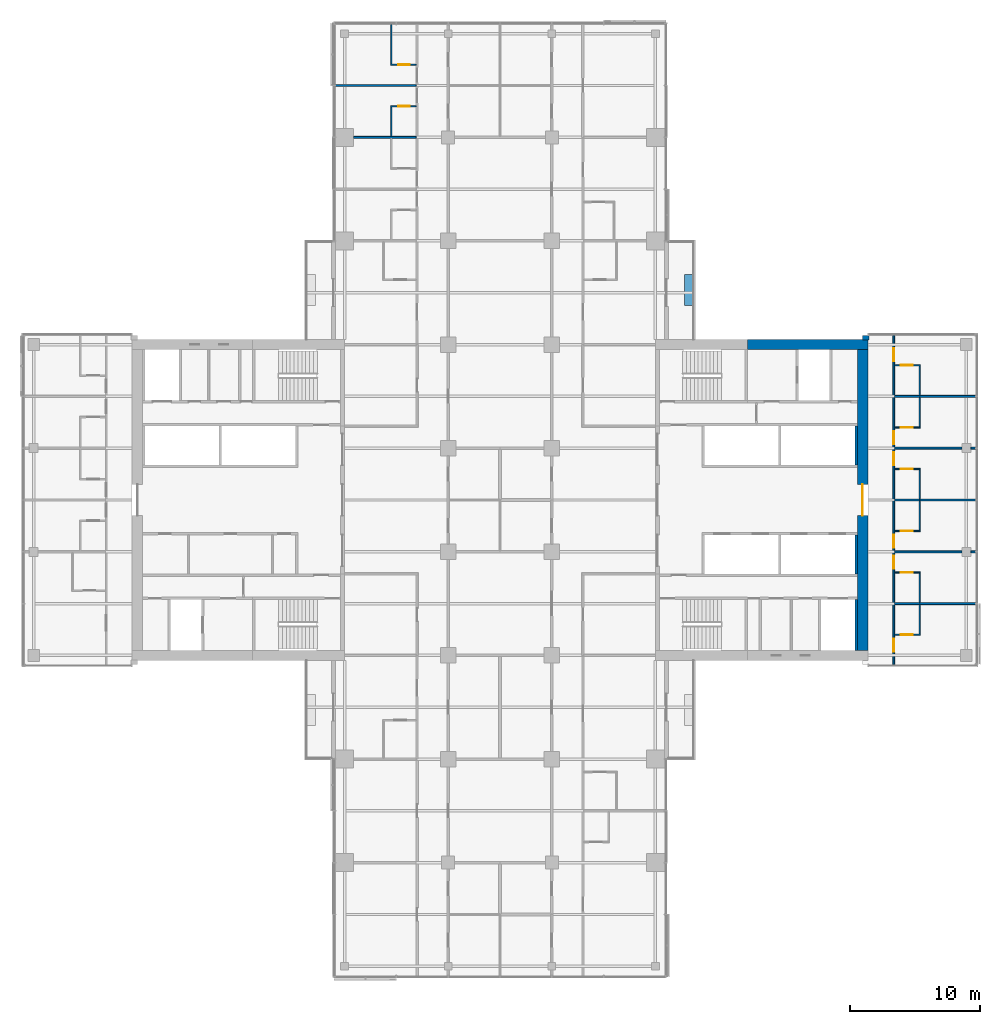
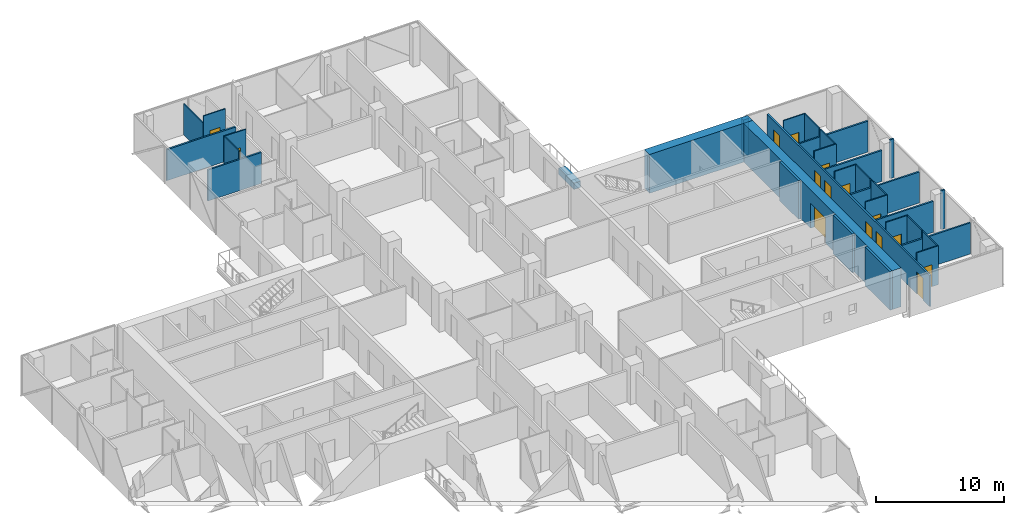
# One storey, part 21 of 27: 33 walls, 15 doors, 15 openings.
"""IFC4 building model written with IfcOpenShell, lengths in metres."""

from ifc_helpers import new_model, si_unit, direction, frame, frame_2d, origin, place, context, subcontext, project, spatial, rectangle, extrude, material, layer, layer_set, constituent, constituent_set, type_object, element, fill, save


model = new_model("IFC4")

# Units and contexts
model_context = context("Model", 3, precision=1e-05, world=origin(), true_north=direction((0.0, 1.0)))
body_context = subcontext(model_context, "Body", "Model", "MODEL_VIEW")
ifc_project = project(units=[si_unit("LENGTHUNIT", "METRE"), si_unit("AREAUNIT", "SQUARE_METRE"), si_unit("VOLUMEUNIT", "CUBIC_METRE"), si_unit("PLANEANGLEUNIT", "RADIAN"), si_unit("MASSUNIT", "GRAM", prefix="KILO")], contexts=[model_context])

# Site, building, storey
site_placement = place(None, origin())
site = spatial("IfcSite", under=ifc_project, at=site_placement, CompositionType="ELEMENT")
building_placement = place(site_placement, origin())
building = spatial("IfcBuilding", under=site, at=building_placement, Name="Crosswind Convention Tower", CompositionType="ELEMENT")
storey_placement = place(building_placement, frame((0.0, 0.0, 94.199951171875)))
storey = spatial("IfcBuildingStorey", under=building, at=storey_placement, Name="L18", CompositionType="ELEMENT", Elevation=94.199951171875)

# Wall, opening, door
ifc_material_1 = material(Name="Concrete C60/75", Category="concrete")
ifc_layer_1 = layer(ifc_material_1, 0.800048828125)
ifc_layer_set_1 = layer_set([ifc_layer_1], Name="Concrete C60/75")
wall_type_1 = type_object("IfcWallType", Name="Concrete core wall 800", PredefinedType="SHEAR", material=ifc_layer_set_1)
wall_1_placement = place(storey_placement, frame((153.0, 88.39990234375, 0.0), z_axis=(0.0, 0.0, 1.0), x_axis=(0.0, 1.0, 0.0)))
wall_1 = element("IfcWall", 1, at=wall_1_placement, inside=storey, type_object=wall_type_1, Name="Wall O E L18", PredefinedType="SHEAR", context=body_context, shape_type="SweptSolid", body=[
    extrude(rectangle(XDim=23.2001953125, YDim=0.800048828125, at=frame_2d((11.60009765625, 0.0))), origin(), (0.0, 0.0, 1.0), 3.699951171875),
])
opening_1_placement = place(wall_1_placement, frame((10.39990234375, 0.0, 0.0)))
opening_1 = element("IfcOpeningElement", 2, at=opening_1_placement, cuts=wall_1, Name="Opening D100", PredefinedType="OPENING", context=body_context, shape_type="SweptSolid", body=[
    extrude(rectangle(XDim=2.39990234375, YDim=2.39990234375, at=frame_2d((1.199951171875, 1.199951171875))), frame((0.0, 0.409912109375, 0.0), z_axis=(0.0, -1.0, 0.0), x_axis=(1.0, 0.0, 0.0)), (0.0, 0.0, 1.0), 0.820068359375),
])
ifc_material_2 = material(Name="Steel fire door with glazed vision panels", Category="steel")
door_type_1 = type_object("IfcDoorType", Name="Fire-rated double door 2400x2400", OperationType="DOUBLE_DOOR_SINGLE_SWING", PredefinedType="DOOR", material=ifc_material_2)
door_1_placement = place(opening_1_placement, origin())
door_1 = element("IfcDoor", 3, at=door_1_placement, inside=storey, type_object=door_type_1, Name="Lobby outer door L18", ObjectType="D100", OperationType="DOUBLE_DOOR_SINGLE_SWING", OverallHeight=2.39990234375, OverallWidth=2.39990234375, PredefinedType="DOOR", context=body_context, shape_type="SweptSolid", body=[
    extrude(rectangle(XDim=2.39990234375, YDim=2.39990234375, at=frame_2d((1.199951171875, 1.199951171875))), frame((0.0, 0.02490234375, 0.0), z_axis=(0.0, -1.0, 0.0), x_axis=(1.0, 0.0, 0.0)), (0.0, 0.0, 1.0), 0.050048828125),
])
fill(opening_1, door_1)

# Walls
ifc_material_3 = material(Name="Concrete C50/60", Category="concrete")
ifc_layer_2 = layer(ifc_material_3, 0.199951171875)
ifc_layer_set_2 = layer_set([ifc_layer_2], Name="Concrete C50/60")
wall_type_2 = type_object("IfcWallType", Name="Concrete shaft and stair wall 200", PredefinedType="SHEAR", material=ifc_layer_set_2)
for number, where, z_axis, x_axis, name in (
    (4, (152.5, 102.699951171875, 0.0), (0.0, 0.0, 1.0), (0.0, 1.0, 0.0), "Wall RPEAST E L18"),
    (5, (152.5, 94.300048828125, 0.0), (0.0, 0.0, 1.0), (0.0, 1.0, 0.0), "Wall RMEAST E L18"),
):
    element("IfcWall", number, at=place(storey_placement, frame(where, z_axis=z_axis, x_axis=x_axis)), inside=storey, type_object=wall_type_2, Name=name, PredefinedType="SHEAR", context=body_context, shape_type="SweptSolid", body=[
        extrude(rectangle(XDim=3.0, YDim=0.199951171875, at=frame_2d((1.5, 0.0))), origin(), (0.0, 0.0, 1.0), 3.699951171875),
    ])
wall_2_placement = place(storey_placement, frame((152.5, 88.39990234375, 0.0), z_axis=(0.0, 0.0, 1.0), x_axis=(0.0, 1.0, 0.0)))
element("IfcWall", 6, at=wall_2_placement, inside=storey, type_object=wall_type_2, Name="Wall MFSE E L18", PredefinedType="SHEAR", context=body_context, shape_type="SweptSolid", body=[
    extrude(rectangle(XDim=3.900146484375, YDim=0.199951171875, at=frame_2d((1.9501953125, 0.0))), origin(), (0.0, 0.0, 1.0), 3.699951171875),
])
ifc_material_4 = material(Name="Acoustic plasterboard partition", Category="gypsum")
ifc_layer_3 = layer(ifc_material_4, 0.14990234375)
ifc_layer_set_3 = layer_set([ifc_layer_3], Name="GUEST ROOM WALL 150")
wall_type_3 = type_object("IfcWallType", Name="GUEST ROOM WALL 150", PredefinedType="PARTITIONING", material=ifc_layer_set_3)
wall_3_placement = place(storey_placement, frame((155.47509765625, 92.0, 0.0), z_axis=(0.0, 0.0, 1.0), x_axis=(1.0, 0.0, 0.0)))
element("IfcWall", 7, at=wall_3_placement, inside=storey, type_object=wall_type_3, Name="Guest Room Wall 16", PredefinedType="PARTITIONING", context=body_context, shape_type="SweptSolid", body=[
    extrude(rectangle(XDim=6.224853515625, YDim=0.14990234375, at=frame_2d((3.1123046875, 0.0))), origin(), (0.0, 0.0, 1.0), 2.962890625),
])
wall_4_placement = place(storey_placement, frame((155.47509765625, 96.0, 0.0), z_axis=(0.0, 0.0, 1.0), x_axis=(1.0, 0.0, 0.0)))
element("IfcWall", 8, at=wall_4_placement, inside=storey, type_object=wall_type_3, Name="Guest Room Wall 24", PredefinedType="PARTITIONING", context=body_context, shape_type="SweptSolid", body=[
    extrude(rectangle(XDim=5.1748046875, YDim=0.14990234375, at=frame_2d((2.58740234375, 0.0))), origin(), (0.0, 0.0, 1.0), 2.95654296875),
])
wall_5_placement = place(storey_placement, frame((161.35009765625, 96.0, 0.0), z_axis=(0.0, 0.0, 1.0), x_axis=(1.0, 0.0, 0.0)))
element("IfcWall", 9, at=wall_5_placement, inside=storey, type_object=wall_type_3, Name="Guest Room Wall 25", PredefinedType="PARTITIONING", context=body_context, shape_type="SweptSolid", body=[
    extrude(rectangle(XDim=0.349853515625, YDim=0.14990234375, at=frame_2d((0.1748046875, 0.0))), origin(), (0.0, 0.0, 1.0), 3.699951171875),
])
wall_6_placement = place(storey_placement, frame((155.47509765625, 100.0, 0.0), z_axis=(0.0, 0.0, 1.0), x_axis=(1.0, 0.0, 0.0)))
element("IfcWall", 10, at=wall_6_placement, inside=storey, type_object=wall_type_3, Name="Guest Room Wall 31", PredefinedType="PARTITIONING", context=body_context, shape_type="SweptSolid", body=[
    extrude(rectangle(XDim=6.224853515625, YDim=0.14990234375, at=frame_2d((3.1123046875, 0.0))), origin(), (0.0, 0.0, 1.0), 2.962890625),
])
wall_7_placement = place(storey_placement, frame((155.47509765625, 104.0, 0.0), z_axis=(0.0, 0.0, 1.0), x_axis=(1.0, 0.0, 0.0)))
element("IfcWall", 11, at=wall_7_placement, inside=storey, type_object=wall_type_3, Name="Guest Room Wall 38", PredefinedType="PARTITIONING", context=body_context, shape_type="SweptSolid", body=[
    extrude(rectangle(XDim=5.1748046875, YDim=0.14990234375, at=frame_2d((2.58740234375, 0.0))), origin(), (0.0, 0.0, 1.0), 2.95654296875),
])
wall_8_placement = place(storey_placement, frame((161.35009765625, 104.0, 0.0), z_axis=(0.0, 0.0, 1.0), x_axis=(1.0, 0.0, 0.0)))
element("IfcWall", 12, at=wall_8_placement, inside=storey, type_object=wall_type_3, Name="Guest Room Wall 39", PredefinedType="PARTITIONING", context=body_context, shape_type="SweptSolid", body=[
    extrude(rectangle(XDim=0.349853515625, YDim=0.14990234375, at=frame_2d((0.1748046875, 0.0))), origin(), (0.0, 0.0, 1.0), 3.699951171875),
])
wall_9_placement = place(storey_placement, frame((155.47509765625, 108.0, 0.0), z_axis=(0.0, 0.0, 1.0), x_axis=(1.0, 0.0, 0.0)))
element("IfcWall", 13, at=wall_9_placement, inside=storey, type_object=wall_type_3, Name="Guest Room Wall 45", PredefinedType="PARTITIONING", context=body_context, shape_type="SweptSolid", body=[
    extrude(rectangle(XDim=6.224853515625, YDim=0.14990234375, at=frame_2d((3.1123046875, 0.0))), origin(), (0.0, 0.0, 1.0), 2.962890625),
])
wall_10_placement = place(storey_placement, frame((113.699951171875, 128.0, 0.0), z_axis=(0.0, 0.0, 1.0), x_axis=(1.0, 0.0, 0.0)))
element("IfcWall", 14, at=wall_10_placement, inside=storey, type_object=wall_type_3, Name="Guest Room Wall 59", PredefinedType="PARTITIONING", context=body_context, shape_type="SweptSolid", body=[
    extrude(rectangle(XDim=4.824951171875, YDim=0.14990234375, at=frame_2d((2.41259765625, 0.0))), origin(), (0.0, 0.0, 1.0), 2.9599609375),
])
wall_11_placement = place(storey_placement, frame((112.300048828125, 132.0, 0.0), z_axis=(0.0, 0.0, 1.0), x_axis=(1.0, 0.0, 0.0)))
element("IfcWall", 15, at=wall_11_placement, inside=storey, type_object=wall_type_3, Name="Guest Room Wall 63", PredefinedType="PARTITIONING", context=body_context, shape_type="SweptSolid", body=[
    extrude(rectangle(XDim=6.224853515625, YDim=0.14990234375, at=frame_2d((3.1123046875, 0.0))), origin(), (0.0, 0.0, 1.0), 2.962890625),
])

# Wall, openings, doors
wall_12_placement = place(storey_placement, frame((155.39990234375, 87.300048828125, 0.0), z_axis=(0.0, 0.0, 1.0), x_axis=(0.0, 1.0, 0.0)))
wall_12 = element("IfcWall", 16, at=wall_12_placement, inside=storey, type_object=wall_type_3, Name="Guest Room Wall 123", PredefinedType="PARTITIONING", context=body_context, shape_type="SweptSolid", body=[
    extrude(rectangle(XDim=25.39990234375, YDim=0.14990234375, at=frame_2d((12.699951171875, 0.0))), origin(), (0.0, 0.0, 1.0), 2.95654296875),
])
opening_2_placement = place(wall_12_placement, frame((1.0, 0.0, 0.0)))
opening_2 = element("IfcOpeningElement", 17, at=opening_2_placement, cuts=wall_12, Name="Opening 18.028", PredefinedType="OPENING", context=body_context, shape_type="SweptSolid", body=[
    extrude(rectangle(XDim=1.0, YDim=2.10009765625, at=frame_2d((0.5, 1.050048828125))), frame((0.0, 0.0849609375, 0.0), z_axis=(0.0, -1.0, 0.0), x_axis=(1.0, 0.0, 0.0)), (0.0, 0.0, 1.0), 0.169921875),
])
opening_3_placement = place(wall_12_placement, frame((7.39990234375, 0.0, 0.0)))
opening_3 = element("IfcOpeningElement", 18, at=opening_3_placement, cuts=wall_12, Name="Opening 18.030", PredefinedType="OPENING", context=body_context, shape_type="SweptSolid", body=[
    extrude(rectangle(XDim=1.0, YDim=2.10009765625, at=frame_2d((0.5, 1.050048828125))), frame((0.0, 0.0849609375, 0.0), z_axis=(0.0, -1.0, 0.0), x_axis=(1.0, 0.0, 0.0)), (0.0, 0.0, 1.0), 0.169921875),
])
opening_4_placement = place(wall_12_placement, frame((9.0, 0.0, 0.0)))
opening_4 = element("IfcOpeningElement", 19, at=opening_4_placement, cuts=wall_12, Name="Opening 18.032", PredefinedType="OPENING", context=body_context, shape_type="SweptSolid", body=[
    extrude(rectangle(XDim=1.0, YDim=2.10009765625, at=frame_2d((0.5, 1.050048828125))), frame((0.0, 0.0849609375, 0.0), z_axis=(0.0, -1.0, 0.0), x_axis=(1.0, 0.0, 0.0)), (0.0, 0.0, 1.0), 0.169921875),
])
opening_5_placement = place(wall_12_placement, frame((15.39990234375, 0.0, 0.0)))
opening_5 = element("IfcOpeningElement", 20, at=opening_5_placement, cuts=wall_12, Name="Opening 18.034", PredefinedType="OPENING", context=body_context, shape_type="SweptSolid", body=[
    extrude(rectangle(XDim=1.0, YDim=2.10009765625, at=frame_2d((0.5, 1.050048828125))), frame((0.0, 0.0849609375, 0.0), z_axis=(0.0, -1.0, 0.0), x_axis=(1.0, 0.0, 0.0)), (0.0, 0.0, 1.0), 0.169921875),
])
opening_6_placement = place(wall_12_placement, frame((17.0, 0.0, 0.0)))
opening_6 = element("IfcOpeningElement", 21, at=opening_6_placement, cuts=wall_12, Name="Opening 18.036", PredefinedType="OPENING", context=body_context, shape_type="SweptSolid", body=[
    extrude(rectangle(XDim=1.0, YDim=2.10009765625, at=frame_2d((0.5, 1.050048828125))), frame((0.0, 0.0849609375, 0.0), z_axis=(0.0, -1.0, 0.0), x_axis=(1.0, 0.0, 0.0)), (0.0, 0.0, 1.0), 0.169921875),
])
opening_7_placement = place(wall_12_placement, frame((23.39990234375, 0.0, 0.0)))
opening_7 = element("IfcOpeningElement", 22, at=opening_7_placement, cuts=wall_12, Name="Opening 18.038", PredefinedType="OPENING", context=body_context, shape_type="SweptSolid", body=[
    extrude(rectangle(XDim=1.0, YDim=2.10009765625, at=frame_2d((0.5, 1.050048828125))), frame((0.0, 0.0849609375, 0.0), z_axis=(0.0, -1.0, 0.0), x_axis=(1.0, 0.0, 0.0)), (0.0, 0.0, 1.0), 0.169921875),
])
ifc_material_5 = material(Name="Timber fire door", Category="wood")
door_type_2 = type_object("IfcDoorType", Name="GUEST ROOM DOOR 1000X2100", OperationType="NOTDEFINED", PredefinedType="DOOR", material=ifc_material_5)
door_2_placement = place(opening_2_placement, frame((1.0, 0.0, 0.0), z_axis=(0.0, 0.0, 1.0), x_axis=(-1.0, 0.0, 0.0)))
door_2 = element("IfcDoor", 23, at=door_2_placement, inside=storey, type_object=door_type_2, Name="Door 18.028", ObjectType="D1", OperationType="SINGLE_SWING_LEFT", OverallHeight=2.10009765625, OverallWidth=1.0, PredefinedType="DOOR", context=body_context, shape_type="SweptSolid", body=[
    extrude(rectangle(XDim=1.0, YDim=2.10009765625, at=frame_2d((0.5, 1.050048828125))), frame((0.0, 0.02490234375, 0.0), z_axis=(0.0, -1.0, 0.0), x_axis=(1.0, 0.0, 0.0)), (0.0, 0.0, 1.0), 0.050048828125),
])
fill(opening_2, door_2)
door_3_placement = place(opening_3_placement, frame((1.0, 0.0, 0.0), z_axis=(0.0, 0.0, 1.0), x_axis=(-1.0, 0.0, 0.0)))
door_3 = element("IfcDoor", 24, at=door_3_placement, inside=storey, type_object=door_type_2, Name="Door 18.030", ObjectType="D1", OperationType="SINGLE_SWING_LEFT", OverallHeight=2.10009765625, OverallWidth=1.0, PredefinedType="DOOR", context=body_context, shape_type="SweptSolid", body=[
    extrude(rectangle(XDim=1.0, YDim=2.10009765625, at=frame_2d((0.5, 1.050048828125))), frame((0.0, 0.02490234375, 0.0), z_axis=(0.0, -1.0, 0.0), x_axis=(1.0, 0.0, 0.0)), (0.0, 0.0, 1.0), 0.050048828125),
])
fill(opening_3, door_3)
door_4_placement = place(opening_4_placement, frame((1.0, 0.0, 0.0), z_axis=(0.0, 0.0, 1.0), x_axis=(-1.0, 0.0, 0.0)))
door_4 = element("IfcDoor", 25, at=door_4_placement, inside=storey, type_object=door_type_2, Name="Door 18.032", ObjectType="D1", OperationType="SINGLE_SWING_LEFT", OverallHeight=2.10009765625, OverallWidth=1.0, PredefinedType="DOOR", context=body_context, shape_type="SweptSolid", body=[
    extrude(rectangle(XDim=1.0, YDim=2.10009765625, at=frame_2d((0.5, 1.050048828125))), frame((0.0, 0.02490234375, 0.0), z_axis=(0.0, -1.0, 0.0), x_axis=(1.0, 0.0, 0.0)), (0.0, 0.0, 1.0), 0.050048828125),
])
fill(opening_4, door_4)
door_5_placement = place(opening_5_placement, frame((1.0, 0.0, 0.0), z_axis=(0.0, 0.0, 1.0), x_axis=(-1.0, 0.0, 0.0)))
door_5 = element("IfcDoor", 26, at=door_5_placement, inside=storey, type_object=door_type_2, Name="Door 18.034", ObjectType="D1", OperationType="SINGLE_SWING_LEFT", OverallHeight=2.10009765625, OverallWidth=1.0, PredefinedType="DOOR", context=body_context, shape_type="SweptSolid", body=[
    extrude(rectangle(XDim=1.0, YDim=2.10009765625, at=frame_2d((0.5, 1.050048828125))), frame((0.0, 0.02490234375, 0.0), z_axis=(0.0, -1.0, 0.0), x_axis=(1.0, 0.0, 0.0)), (0.0, 0.0, 1.0), 0.050048828125),
])
fill(opening_5, door_5)
door_6_placement = place(opening_6_placement, frame((1.0, 0.0, 0.0), z_axis=(0.0, 0.0, 1.0), x_axis=(-1.0, 0.0, 0.0)))
door_6 = element("IfcDoor", 27, at=door_6_placement, inside=storey, type_object=door_type_2, Name="Door 18.036", ObjectType="D1", OperationType="SINGLE_SWING_LEFT", OverallHeight=2.10009765625, OverallWidth=1.0, PredefinedType="DOOR", context=body_context, shape_type="SweptSolid", body=[
    extrude(rectangle(XDim=1.0, YDim=2.10009765625, at=frame_2d((0.5, 1.050048828125))), frame((0.0, 0.02490234375, 0.0), z_axis=(0.0, -1.0, 0.0), x_axis=(1.0, 0.0, 0.0)), (0.0, 0.0, 1.0), 0.050048828125),
])
fill(opening_6, door_6)
door_7_placement = place(opening_7_placement, frame((1.0, 0.0, 0.0), z_axis=(0.0, 0.0, 1.0), x_axis=(-1.0, 0.0, 0.0)))
door_7 = element("IfcDoor", 28, at=door_7_placement, inside=storey, type_object=door_type_2, Name="Door 18.038", ObjectType="D1", OperationType="SINGLE_SWING_RIGHT", OverallHeight=2.10009765625, OverallWidth=1.0, PredefinedType="DOOR", context=body_context, shape_type="SweptSolid", body=[
    extrude(rectangle(XDim=1.0, YDim=2.10009765625, at=frame_2d((0.5, 1.050048828125))), frame((0.0, 0.02490234375, 0.0), z_axis=(0.0, -1.0, 0.0), x_axis=(1.0, 0.0, 0.0)), (0.0, 0.0, 1.0), 0.050048828125),
])
fill(opening_7, door_7)

# Walls
ifc_material_6 = material(Name="Concrete C30/37", Category="concrete")
ifc_layer_4 = layer(ifc_material_6, 0.60009765625)
ifc_layer_set_4 = layer_set([ifc_layer_4], Name="Concrete C30/37")
wall_type_4 = type_object("IfcWallType", Name="PLANTER BOX WALL 600", PredefinedType="SOLIDWALL", material=ifc_layer_set_4)
wall_13_placement = place(storey_placement, frame((139.550048828125, 115.0, 0.0), z_axis=(0.0, 0.0, 1.0), x_axis=(0.0, 1.0, 0.0)))
element("IfcWall", 29, at=wall_13_placement, inside=storey, type_object=wall_type_4, Name="PLANTER L18 N-E.1-1", PredefinedType="SOLIDWALL", context=body_context, shape_type="SweptSolid", body=[
    extrude(rectangle(XDim=2.39990234375, YDim=0.60009765625, at=frame_2d((1.199951171875, 0.0))), origin(), (0.0, 0.0, 1.0), 0.60009765625),
])
ifc_material_7 = material(Name="Terracotta rainscreen", Category="ceramic")
ifc_layer_5 = layer(ifc_material_7, 0.02001953125)
ifc_material_8 = material(Name="Mineral wool insulation", Category="insulation")
ifc_layer_6 = layer(ifc_material_8, 0.10009765625)
ifc_material_9 = material(Name="Concrete blockwork", Category="masonry")
ifc_layer_7 = layer(ifc_material_9, 0.236083984375)
ifc_layer_set_5 = layer_set([ifc_layer_5, ifc_layer_6, ifc_layer_7], Name="TERRACOTTA CORNER INFILL WALL 356")
wall_type_5 = type_object("IfcWallType", Name="TERRACOTTA CORNER INFILL WALL 356", PredefinedType="SOLIDWALL", material=ifc_layer_set_5)
wall_14_placement = place(storey_placement, frame((153.0, 112.52197265625, 0.0), z_axis=(0.0, 0.0, 1.0), x_axis=(1.0, 0.0, 0.0)))
element("IfcWall", 30, at=wall_14_placement, inside=storey, type_object=wall_type_5, Name="Core corner infill wall L18 1", PredefinedType="SOLIDWALL", context=body_context, shape_type="SweptSolid", body=[
    extrude(rectangle(XDim=0.5048828125, YDim=0.35595703125, at=frame_2d((0.25244140625, 0.0))), origin(), (0.0, 0.0, 1.0), 3.420166015625),
])
ifc_constituent_1 = constituent(ifc_material_1, Name="Structure")
ifc_constituent_2 = constituent(ifc_material_7, Name="Facing")
ifc_constituent_set = constituent_set(constituents=[ifc_constituent_1, ifc_constituent_2], Name="Concrete C60/75, Terracotta rainscreen")
wall_type_6 = type_object("IfcWallType", Name="Terracotta rainscreen on concrete core wall 800", PredefinedType="SHEAR", material=ifc_constituent_set)
wall_15_placement = place(storey_placement, frame((144.10009765625, 112.0, 0.0), z_axis=(0.0, 0.0, 1.0), x_axis=(1.0, 0.0, 0.0)))
element("IfcWall", 31, at=wall_15_placement, inside=storey, type_object=wall_type_6, Name="Wall N2 E L18", PredefinedType="SHEAR", context=body_context, shape_type="SweptSolid", body=[
    extrude(rectangle(XDim=9.2998046875, YDim=0.800048828125, at=frame_2d((4.64990234375, 0.0))), origin(), (0.0, 0.0, 1.0), 3.699951171875),
])

# Wall, opening, door
ifc_material_10 = material(Name="Water-resistant plasterboard partition", Category="gypsum")
ifc_layer_8 = layer(ifc_material_10, 0.10009765625)
ifc_layer_set_6 = layer_set([ifc_layer_8], Name="WET ROOM PARTITION 100")
wall_type_7 = type_object("IfcWallType", Name="WET ROOM PARTITION 100", PredefinedType="PLUMBINGWALL", material=ifc_layer_set_6)
wall_16_placement = place(storey_placement, frame((155.47509765625, 89.60009765625, 0.0), z_axis=(0.0, 0.0, 1.0), x_axis=(1.0, 0.0, 0.0)))
wall_16 = element("IfcWall", 32, at=wall_16_placement, inside=storey, type_object=wall_type_7, Name="Wet Room Partition 15", PredefinedType="PLUMBINGWALL", context=body_context, shape_type="SweptSolid", body=[
    extrude(rectangle(XDim=1.974853515625, YDim=0.10009765625, at=frame_2d((0.9873046875, 0.0))), origin(), (0.0, 0.0, 1.0), 3.699951171875),
])
opening_8_placement = place(wall_16_placement, frame((0.47509765625, 0.0, 0.0)))
opening_8 = element("IfcOpeningElement", 33, at=opening_8_placement, cuts=wall_16, Name="Opening 18.029", PredefinedType="OPENING", context=body_context, shape_type="SweptSolid", body=[
    extrude(rectangle(XDim=0.89990234375, YDim=2.10009765625, at=frame_2d((0.449951171875, 1.050048828125))), frame((0.0, 0.06005859375, 0.0), z_axis=(0.0, -1.0, 0.0), x_axis=(1.0, 0.0, 0.0)), (0.0, 0.0, 1.0), 0.1201171875),
])
ifc_material_11 = material(Name="Timber door", Category="wood")
door_type_3 = type_object("IfcDoorType", Name="EN-SUITE DOOR 900X2100", OperationType="NOTDEFINED", PredefinedType="DOOR", material=ifc_material_11)
door_8_placement = place(opening_8_placement, origin())
door_8 = element("IfcDoor", 34, at=door_8_placement, inside=storey, type_object=door_type_3, Name="Door 18.029", ObjectType="D2", OperationType="SINGLE_SWING_RIGHT", OverallHeight=2.10009765625, OverallWidth=0.89990234375, PredefinedType="DOOR", context=body_context, shape_type="SweptSolid", body=[
    extrude(rectangle(XDim=0.89990234375, YDim=2.10009765625, at=frame_2d((0.449951171875, 1.050048828125))), frame((0.0, 0.02490234375, 0.0), z_axis=(0.0, -1.0, 0.0), x_axis=(1.0, 0.0, 0.0)), (0.0, 0.0, 1.0), 0.050048828125),
])
fill(opening_8, door_8)

wall_17_placement = place(storey_placement, frame((155.47509765625, 94.39990234375, 0.0), z_axis=(0.0, 0.0, 1.0), x_axis=(1.0, 0.0, 0.0)))
wall_17 = element("IfcWall", 35, at=wall_17_placement, inside=storey, type_object=wall_type_7, Name="Wet Room Partition 20", PredefinedType="PLUMBINGWALL", context=body_context, shape_type="SweptSolid", body=[
    extrude(rectangle(XDim=1.974853515625, YDim=0.10009765625, at=frame_2d((0.9873046875, 0.0))), origin(), (0.0, 0.0, 1.0), 3.699951171875),
])
opening_9_placement = place(wall_17_placement, frame((0.47509765625, 0.0, 0.0)))
opening_9 = element("IfcOpeningElement", 36, at=opening_9_placement, cuts=wall_17, Name="Opening 18.031", PredefinedType="OPENING", context=body_context, shape_type="SweptSolid", body=[
    extrude(rectangle(XDim=0.89990234375, YDim=2.10009765625, at=frame_2d((0.449951171875, 1.050048828125))), frame((0.0, 0.06005859375, 0.0), z_axis=(0.0, -1.0, 0.0), x_axis=(1.0, 0.0, 0.0)), (0.0, 0.0, 1.0), 0.1201171875),
])
door_9_placement = place(opening_9_placement, frame((0.89990234375, 0.0, 0.0), z_axis=(0.0, 0.0, 1.0), x_axis=(-1.0, 0.0, 0.0)))
door_9 = element("IfcDoor", 37, at=door_9_placement, inside=storey, type_object=door_type_3, Name="Door 18.031", ObjectType="D2", OperationType="SINGLE_SWING_LEFT", OverallHeight=2.10009765625, OverallWidth=0.89990234375, PredefinedType="DOOR", context=body_context, shape_type="SweptSolid", body=[
    extrude(rectangle(XDim=0.89990234375, YDim=2.10009765625, at=frame_2d((0.449951171875, 1.050048828125))), frame((0.0, 0.02490234375, 0.0), z_axis=(0.0, -1.0, 0.0), x_axis=(1.0, 0.0, 0.0)), (0.0, 0.0, 1.0), 0.050048828125),
])
fill(opening_9, door_9)

wall_18_placement = place(storey_placement, frame((155.47509765625, 97.60009765625, 0.0), z_axis=(0.0, 0.0, 1.0), x_axis=(1.0, 0.0, 0.0)))
wall_18 = element("IfcWall", 38, at=wall_18_placement, inside=storey, type_object=wall_type_7, Name="Wet Room Partition 26", PredefinedType="PLUMBINGWALL", context=body_context, shape_type="SweptSolid", body=[
    extrude(rectangle(XDim=1.974853515625, YDim=0.10009765625, at=frame_2d((0.9873046875, 0.0))), origin(), (0.0, 0.0, 1.0), 3.699951171875),
])
opening_10_placement = place(wall_18_placement, frame((0.47509765625, 0.0, 0.0)))
opening_10 = element("IfcOpeningElement", 39, at=opening_10_placement, cuts=wall_18, Name="Opening 18.033", PredefinedType="OPENING", context=body_context, shape_type="SweptSolid", body=[
    extrude(rectangle(XDim=0.89990234375, YDim=2.10009765625, at=frame_2d((0.449951171875, 1.050048828125))), frame((0.0, 0.06005859375, 0.0), z_axis=(0.0, -1.0, 0.0), x_axis=(1.0, 0.0, 0.0)), (0.0, 0.0, 1.0), 0.1201171875),
])
door_10_placement = place(opening_10_placement, origin())
door_10 = element("IfcDoor", 40, at=door_10_placement, inside=storey, type_object=door_type_3, Name="Door 18.033", ObjectType="D2", OperationType="SINGLE_SWING_RIGHT", OverallHeight=2.10009765625, OverallWidth=0.89990234375, PredefinedType="DOOR", context=body_context, shape_type="SweptSolid", body=[
    extrude(rectangle(XDim=0.89990234375, YDim=2.10009765625, at=frame_2d((0.449951171875, 1.050048828125))), frame((0.0, 0.02490234375, 0.0), z_axis=(0.0, -1.0, 0.0), x_axis=(1.0, 0.0, 0.0)), (0.0, 0.0, 1.0), 0.050048828125),
])
fill(opening_10, door_10)

wall_19_placement = place(storey_placement, frame((155.47509765625, 102.39990234375, 0.0), z_axis=(0.0, 0.0, 1.0), x_axis=(1.0, 0.0, 0.0)))
wall_19 = element("IfcWall", 41, at=wall_19_placement, inside=storey, type_object=wall_type_7, Name="Wet Room Partition 33", PredefinedType="PLUMBINGWALL", context=body_context, shape_type="SweptSolid", body=[
    extrude(rectangle(XDim=1.974853515625, YDim=0.10009765625, at=frame_2d((0.9873046875, 0.0))), origin(), (0.0, 0.0, 1.0), 3.699951171875),
])
opening_11_placement = place(wall_19_placement, frame((0.47509765625, 0.0, 0.0)))
opening_11 = element("IfcOpeningElement", 42, at=opening_11_placement, cuts=wall_19, Name="Opening 18.035", PredefinedType="OPENING", context=body_context, shape_type="SweptSolid", body=[
    extrude(rectangle(XDim=0.89990234375, YDim=2.10009765625, at=frame_2d((0.449951171875, 1.050048828125))), frame((0.0, 0.06005859375, 0.0), z_axis=(0.0, -1.0, 0.0), x_axis=(1.0, 0.0, 0.0)), (0.0, 0.0, 1.0), 0.1201171875),
])
door_11_placement = place(opening_11_placement, frame((0.89990234375, 0.0, 0.0), z_axis=(0.0, 0.0, 1.0), x_axis=(-1.0, 0.0, 0.0)))
door_11 = element("IfcDoor", 43, at=door_11_placement, inside=storey, type_object=door_type_3, Name="Door 18.035", ObjectType="D2", OperationType="SINGLE_SWING_LEFT", OverallHeight=2.10009765625, OverallWidth=0.89990234375, PredefinedType="DOOR", context=body_context, shape_type="SweptSolid", body=[
    extrude(rectangle(XDim=0.89990234375, YDim=2.10009765625, at=frame_2d((0.449951171875, 1.050048828125))), frame((0.0, 0.02490234375, 0.0), z_axis=(0.0, -1.0, 0.0), x_axis=(1.0, 0.0, 0.0)), (0.0, 0.0, 1.0), 0.050048828125),
])
fill(opening_11, door_11)

wall_20_placement = place(storey_placement, frame((155.47509765625, 105.60009765625, 0.0), z_axis=(0.0, 0.0, 1.0), x_axis=(1.0, 0.0, 0.0)))
wall_20 = element("IfcWall", 44, at=wall_20_placement, inside=storey, type_object=wall_type_7, Name="Wet Room Partition 40", PredefinedType="PLUMBINGWALL", context=body_context, shape_type="SweptSolid", body=[
    extrude(rectangle(XDim=1.974853515625, YDim=0.10009765625, at=frame_2d((0.9873046875, 0.0))), origin(), (0.0, 0.0, 1.0), 3.699951171875),
])
opening_12_placement = place(wall_20_placement, frame((0.47509765625, 0.0, 0.0)))
opening_12 = element("IfcOpeningElement", 45, at=opening_12_placement, cuts=wall_20, Name="Opening 18.037", PredefinedType="OPENING", context=body_context, shape_type="SweptSolid", body=[
    extrude(rectangle(XDim=0.89990234375, YDim=2.10009765625, at=frame_2d((0.449951171875, 1.050048828125))), frame((0.0, 0.06005859375, 0.0), z_axis=(0.0, -1.0, 0.0), x_axis=(1.0, 0.0, 0.0)), (0.0, 0.0, 1.0), 0.1201171875),
])
door_12_placement = place(opening_12_placement, origin())
door_12 = element("IfcDoor", 46, at=door_12_placement, inside=storey, type_object=door_type_3, Name="Door 18.037", ObjectType="D2", OperationType="SINGLE_SWING_RIGHT", OverallHeight=2.10009765625, OverallWidth=0.89990234375, PredefinedType="DOOR", context=body_context, shape_type="SweptSolid", body=[
    extrude(rectangle(XDim=0.89990234375, YDim=2.10009765625, at=frame_2d((0.449951171875, 1.050048828125))), frame((0.0, 0.02490234375, 0.0), z_axis=(0.0, -1.0, 0.0), x_axis=(1.0, 0.0, 0.0)), (0.0, 0.0, 1.0), 0.050048828125),
])
fill(opening_12, door_12)

wall_21_placement = place(storey_placement, frame((155.47509765625, 110.39990234375, 0.0), z_axis=(0.0, 0.0, 1.0), x_axis=(1.0, 0.0, 0.0)))
wall_21 = element("IfcWall", 47, at=wall_21_placement, inside=storey, type_object=wall_type_7, Name="Wet Room Partition 47", PredefinedType="PLUMBINGWALL", context=body_context, shape_type="SweptSolid", body=[
    extrude(rectangle(XDim=1.974853515625, YDim=0.10009765625, at=frame_2d((0.9873046875, 0.0))), origin(), (0.0, 0.0, 1.0), 3.699951171875),
])
opening_13_placement = place(wall_21_placement, frame((0.47509765625, 0.0, 0.0)))
opening_13 = element("IfcOpeningElement", 48, at=opening_13_placement, cuts=wall_21, Name="Opening 18.039", PredefinedType="OPENING", context=body_context, shape_type="SweptSolid", body=[
    extrude(rectangle(XDim=0.89990234375, YDim=2.10009765625, at=frame_2d((0.449951171875, 1.050048828125))), frame((0.0, 0.06005859375, 0.0), z_axis=(0.0, -1.0, 0.0), x_axis=(1.0, 0.0, 0.0)), (0.0, 0.0, 1.0), 0.1201171875),
])
door_13_placement = place(opening_13_placement, frame((0.89990234375, 0.0, 0.0), z_axis=(0.0, 0.0, 1.0), x_axis=(-1.0, 0.0, 0.0)))
door_13 = element("IfcDoor", 49, at=door_13_placement, inside=storey, type_object=door_type_3, Name="Door 18.039", ObjectType="D2", OperationType="SINGLE_SWING_LEFT", OverallHeight=2.10009765625, OverallWidth=0.89990234375, PredefinedType="DOOR", context=body_context, shape_type="SweptSolid", body=[
    extrude(rectangle(XDim=0.89990234375, YDim=2.10009765625, at=frame_2d((0.449951171875, 1.050048828125))), frame((0.0, 0.02490234375, 0.0), z_axis=(0.0, -1.0, 0.0), x_axis=(1.0, 0.0, 0.0)), (0.0, 0.0, 1.0), 0.050048828125),
])
fill(opening_13, door_13)

wall_22_placement = place(storey_placement, frame((116.550048828125, 130.39990234375, 0.0), z_axis=(0.0, 0.0, 1.0), x_axis=(1.0, 0.0, 0.0)))
wall_22 = element("IfcWall", 50, at=wall_22_placement, inside=storey, type_object=wall_type_7, Name="Wet Room Partition 62", PredefinedType="PLUMBINGWALL", context=body_context, shape_type="SweptSolid", body=[
    extrude(rectangle(XDim=1.974853515625, YDim=0.10009765625, at=frame_2d((0.9873046875, 0.0))), origin(), (0.0, 0.0, 1.0), 3.699951171875),
])
opening_14_placement = place(wall_22_placement, frame((0.60009765625, 0.0, 0.0)))
opening_14 = element("IfcOpeningElement", 51, at=opening_14_placement, cuts=wall_22, Name="Opening 18.017", PredefinedType="OPENING", context=body_context, shape_type="SweptSolid", body=[
    extrude(rectangle(XDim=0.89990234375, YDim=2.10009765625, at=frame_2d((0.449951171875, 1.050048828125))), frame((0.0, 0.06005859375, 0.0), z_axis=(0.0, -1.0, 0.0), x_axis=(1.0, 0.0, 0.0)), (0.0, 0.0, 1.0), 0.1201171875),
])
door_14_placement = place(opening_14_placement, frame((0.89990234375, 0.0, 0.0), z_axis=(0.0, 0.0, 1.0), x_axis=(-1.0, 0.0, 0.0)))
door_14 = element("IfcDoor", 52, at=door_14_placement, inside=storey, type_object=door_type_3, Name="Door 18.017", ObjectType="D2", OperationType="SINGLE_SWING_LEFT", OverallHeight=2.10009765625, OverallWidth=0.89990234375, PredefinedType="DOOR", context=body_context, shape_type="SweptSolid", body=[
    extrude(rectangle(XDim=0.89990234375, YDim=2.10009765625, at=frame_2d((0.449951171875, 1.050048828125))), frame((0.0, 0.02490234375, 0.0), z_axis=(0.0, -1.0, 0.0), x_axis=(1.0, 0.0, 0.0)), (0.0, 0.0, 1.0), 0.050048828125),
])
fill(opening_14, door_14)

wall_23_placement = place(storey_placement, frame((116.550048828125, 133.60009765625, 0.0), z_axis=(0.0, 0.0, 1.0), x_axis=(1.0, 0.0, 0.0)))
wall_23 = element("IfcWall", 53, at=wall_23_placement, inside=storey, type_object=wall_type_7, Name="Wet Room Partition 65", PredefinedType="PLUMBINGWALL", context=body_context, shape_type="SweptSolid", body=[
    extrude(rectangle(XDim=1.974853515625, YDim=0.10009765625, at=frame_2d((0.9873046875, 0.0))), origin(), (0.0, 0.0, 1.0), 3.699951171875),
])
opening_15_placement = place(wall_23_placement, frame((0.60009765625, 0.0, 0.0)))
opening_15 = element("IfcOpeningElement", 54, at=opening_15_placement, cuts=wall_23, Name="Opening 18.019", PredefinedType="OPENING", context=body_context, shape_type="SweptSolid", body=[
    extrude(rectangle(XDim=0.89990234375, YDim=2.10009765625, at=frame_2d((0.449951171875, 1.050048828125))), frame((0.0, 0.06005859375, 0.0), z_axis=(0.0, -1.0, 0.0), x_axis=(1.0, 0.0, 0.0)), (0.0, 0.0, 1.0), 0.1201171875),
])
door_15_placement = place(opening_15_placement, origin())
door_15 = element("IfcDoor", 55, at=door_15_placement, inside=storey, type_object=door_type_3, Name="Door 18.019", ObjectType="D2", OperationType="SINGLE_SWING_RIGHT", OverallHeight=2.10009765625, OverallWidth=0.89990234375, PredefinedType="DOOR", context=body_context, shape_type="SweptSolid", body=[
    extrude(rectangle(XDim=0.89990234375, YDim=2.10009765625, at=frame_2d((0.449951171875, 1.050048828125))), frame((0.0, 0.02490234375, 0.0), z_axis=(0.0, -1.0, 0.0), x_axis=(1.0, 0.0, 0.0)), (0.0, 0.0, 1.0), 0.050048828125),
])
fill(opening_15, door_15)

# Walls
wall_24_placement = place(storey_placement, frame((116.60009765625, 128.074951171875, 0.0), z_axis=(0.0, 0.0, 1.0), x_axis=(0.0, 1.0, 0.0)))
element("IfcWall", 56, at=wall_24_placement, inside=storey, type_object=wall_type_7, Name="Wet Room Partition 76", PredefinedType="PLUMBINGWALL", context=body_context, shape_type="SweptSolid", body=[
    extrude(rectangle(XDim=2.275146484375, YDim=0.10009765625, at=frame_2d((1.1376953125, 0.0))), origin(), (0.0, 0.0, 1.0), 3.699951171875),
])
wall_25_placement = place(storey_placement, frame((116.60009765625, 133.64990234375, 0.0), z_axis=(0.0, 0.0, 1.0), x_axis=(0.0, 1.0, 0.0)))
element("IfcWall", 57, at=wall_25_placement, inside=storey, type_object=wall_type_7, Name="Wet Room Partition 77", PredefinedType="PLUMBINGWALL", context=body_context, shape_type="SweptSolid", body=[
    extrude(rectangle(XDim=3.050048828125, YDim=0.10009765625, at=frame_2d((1.52490234375, 0.0))), origin(), (0.0, 0.0, 1.0), 2.962890625),
])
for number, where, z_axis, x_axis, name in (
    (58, (157.39990234375, 89.64990234375, 0.0), (0.0, 0.0, 1.0), (0.0, 1.0, 0.0), "Wet Room Partition 124"),
    (59, (157.39990234375, 92.074951171875, 0.0), (0.0, 0.0, 1.0), (0.0, 1.0, 0.0), "Wet Room Partition 125"),
    (60, (157.39990234375, 97.64990234375, 0.0), (0.0, 0.0, 1.0), (0.0, 1.0, 0.0), "Wet Room Partition 126"),
    (61, (157.39990234375, 100.074951171875, 0.0), (0.0, 0.0, 1.0), (0.0, 1.0, 0.0), "Wet Room Partition 127"),
    (62, (157.39990234375, 105.64990234375, 0.0), (0.0, 0.0, 1.0), (0.0, 1.0, 0.0), "Wet Room Partition 128"),
    (63, (157.39990234375, 108.074951171875, 0.0), (0.0, 0.0, 1.0), (0.0, 1.0, 0.0), "Wet Room Partition 129"),
):
    element("IfcWall", number, at=place(storey_placement, frame(where, z_axis=z_axis, x_axis=x_axis)), inside=storey, type_object=wall_type_7, Name=name, PredefinedType="PLUMBINGWALL", context=body_context, shape_type="SweptSolid", body=[
        extrude(rectangle(XDim=2.275146484375, YDim=0.10009765625, at=frame_2d((1.1376953125, 0.0))), origin(), (0.0, 0.0, 1.0), 3.699951171875),
    ])

save(model, "model.ifc")
